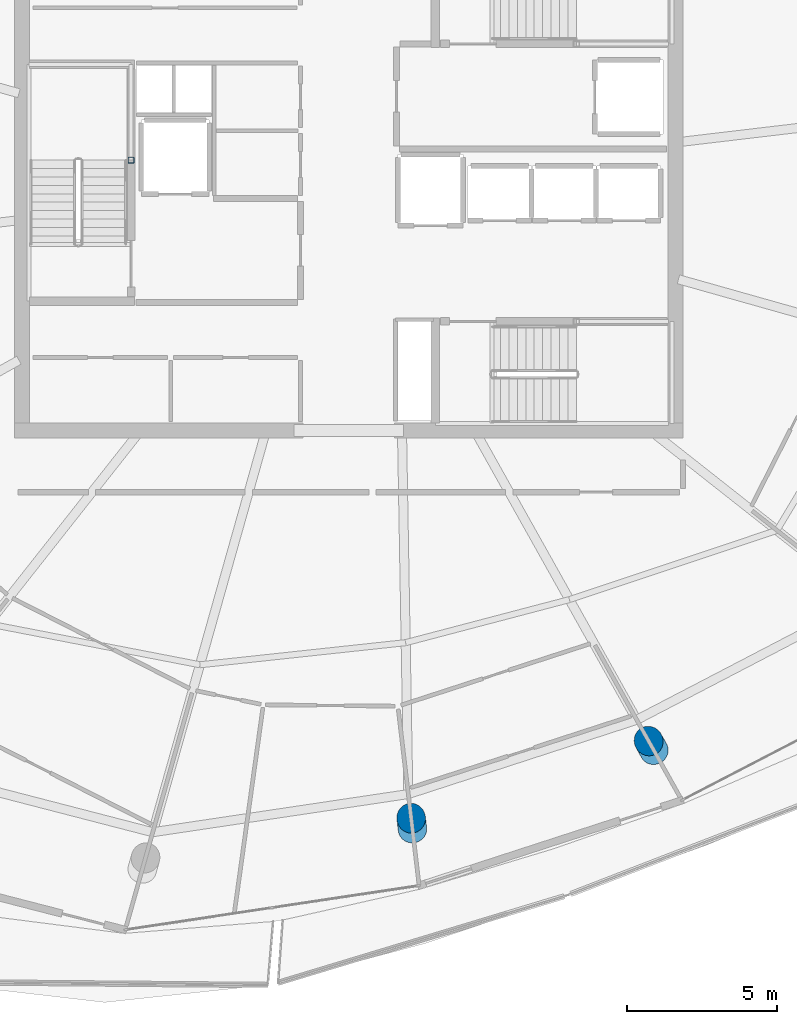
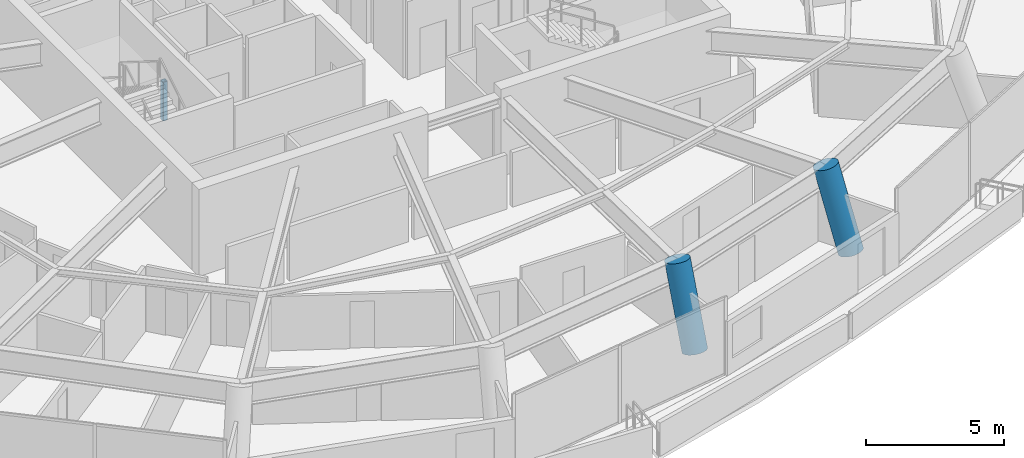
# One storey, part 2 of 27: 3 columns.
"""IFC4 building model written with IfcOpenShell, lengths in metres."""

from ifc_helpers import new_model, si_unit, direction, frame, origin, origin_2d, place, context, subcontext, project, spatial, hollow_rectangle, circle, extrude, material, material_profile, profile_set, type_object, element, save


model = new_model("IFC4")

# Units and contexts
model_context = context("Model", 3, precision=1e-05, world=origin(), true_north=direction((0.0, 1.0)))
body_context = subcontext(model_context, "Body", "Model", "MODEL_VIEW")
ifc_project = project(units=[si_unit("LENGTHUNIT", "METRE"), si_unit("AREAUNIT", "SQUARE_METRE"), si_unit("VOLUMEUNIT", "CUBIC_METRE"), si_unit("PLANEANGLEUNIT", "RADIAN"), si_unit("MASSUNIT", "GRAM", prefix="KILO")], contexts=[model_context])

# Site, building, storey
site_placement = place(None, origin())
site = spatial("IfcSite", under=ifc_project, at=site_placement, CompositionType="ELEMENT")
building_placement = place(site_placement, origin())
building = spatial("IfcBuilding", under=site, at=building_placement, Name="Kazma Halo Residences", CompositionType="ELEMENT")
storey_placement = place(building_placement, frame((0.0, 0.0, 306.0)))
storey = spatial("IfcBuildingStorey", under=building, at=storey_placement, Name="L77", CompositionType="ELEMENT", Elevation=306.0)

# Columns
ifc_material_1 = material(Name="Steel S355", Category="steel")
ifc_material_profile_1 = material_profile(ifc_material_1, hollow_rectangle(XDim=0.199951171875, YDim=0.199951171875, WallThickness=0.010009765625, InnerFilletRadius=0.010009765625, OuterFilletRadius=0.02001953125, at=origin_2d()), Name="SHS200x200x10")
ifc_profile_set_1 = profile_set([ifc_material_profile_1], Name="Steel S355")
column_type_1 = type_object("IfcColumnType", Name="COL-LP-SHS200", PredefinedType="COLUMN", material=ifc_profile_set_1)
column_placement = place(storey_placement, frame((41.179931640625, 42.75, 0.0), z_axis=(0.0, 0.0, 1.0), x_axis=(1.0, 0.0, 0.0)))
element("IfcColumn", 1, at=column_placement, inside=storey, type_object=column_type_1, Name="L77 ST-01 landing pilaster 1", PredefinedType="COLUMN", context=body_context, shape_type="SweptSolid", body=[
    extrude(hollow_rectangle(XDim=0.199951171875, YDim=0.199951171875, WallThickness=0.010009765625, InnerFilletRadius=0.010009765625, OuterFilletRadius=0.02001953125, at=origin_2d()), origin(), (0.0, 0.0, 1.0), 1.719970703125),
])
ifc_material_2 = material(Name="Concrete C60/75", Category="concrete")
ifc_material_profile_2 = material_profile(ifc_material_2, circle(Radius=0.47509765625, at=origin_2d()), Name="CIRC950")
ifc_profile_set_2 = profile_set([ifc_material_profile_2], Name="Concrete C60/75")
column_type_2 = type_object("IfcColumnType", Name="COL-PERIM-950", PredefinedType="COLUMN", material=ifc_profile_set_2)
for number, where, z_axis, x_axis, name in (
    (2, (50.546875, 20.481689453125, 0.0), (-0.034376698759, 0.290510172782, 0.956254193242), (-0.993071427628, -0.117512295652, 0.0), "L77 perimeter ring column P12"),
    (3, (58.587646484375, 23.094482421875, 0.0), (-0.142922715552, 0.25519013274, 0.956269362435), (-0.872482342855, -0.488645639913, 0.0), "L77 perimeter ring column P13"),
):
    element("IfcColumn", number, at=place(storey_placement, frame(where, z_axis=z_axis, x_axis=x_axis)), inside=storey, type_object=column_type_2, Name=name, PredefinedType="COLUMN", context=body_context, shape_type="SweptSolid", body=[
        extrude(circle(Radius=0.47509765625, at=origin_2d()), origin(), (0.0, 0.0, 1.0), 3.607666015625),
    ])

save(model, "model.ifc")
